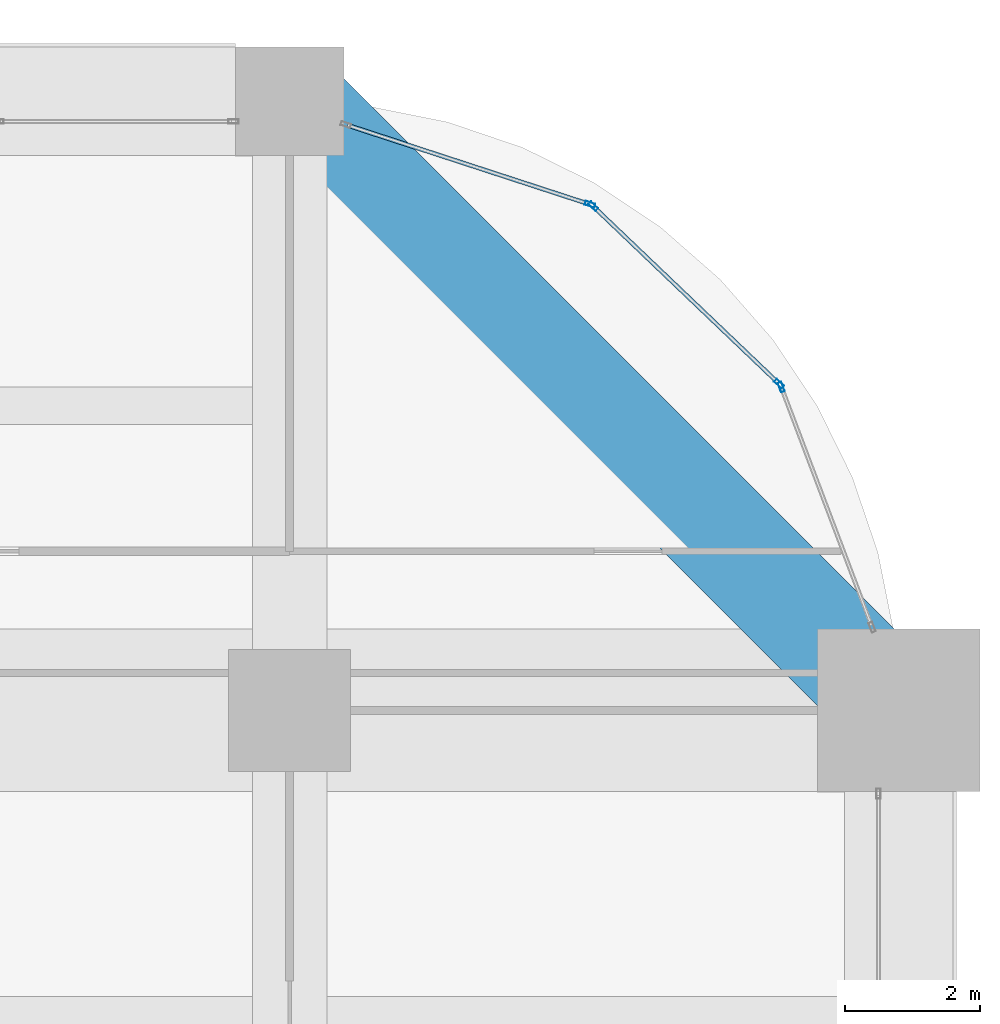
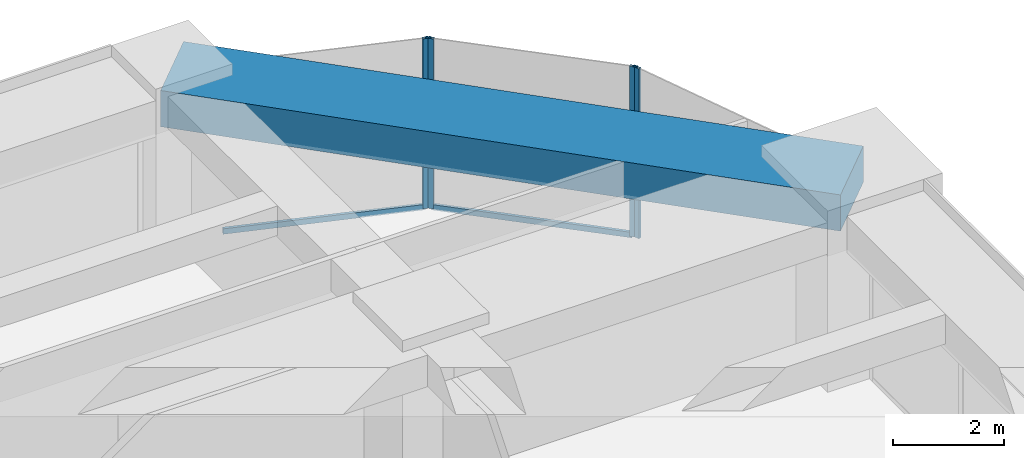
# One storey, part 36 of 43: 6 members, 1 beam, 3 elements without a shape of their own.
"""IFC4 building model written with IfcOpenShell, lengths in metres."""

from ifc_helpers import new_model, si_unit, direction, frame, origin, origin_2d, place, context, subcontext, project, spatial, rectangle, hollow_rectangle, extrude, material, material_profile, profile_set, type_object, element, aggregate, save


model = new_model("IFC4")

# Units and contexts
model_context = context("Model", 3, precision=1e-05, world=origin(), true_north=direction((0.0, 1.0)))
body_context = subcontext(model_context, "Body", "Model", "MODEL_VIEW")
ifc_project = project(units=[si_unit("LENGTHUNIT", "METRE"), si_unit("AREAUNIT", "SQUARE_METRE"), si_unit("VOLUMEUNIT", "CUBIC_METRE"), si_unit("PLANEANGLEUNIT", "RADIAN"), si_unit("MASSUNIT", "GRAM", prefix="KILO")], contexts=[model_context])

# Site, building, storey
site_placement = place(None, origin())
site = spatial("IfcSite", under=ifc_project, at=site_placement, CompositionType="ELEMENT")
building_placement = place(site_placement, origin())
building = spatial("IfcBuilding", under=site, at=building_placement, Name="Zorevar Civic Tower", CompositionType="ELEMENT")
storey_placement = place(building_placement, frame((0.0, 0.0, 145.0)))
storey = spatial("IfcBuildingStorey", under=building, at=storey_placement, Name="L35", CompositionType="ELEMENT", Elevation=145.0)

# Curtain wall, member
ifc_material_1 = material(Name="Dark grey solar-control glass in black aluminium frame", Category="aluminium")
curtain_wall_type = type_object("IfcCurtainWallType", Name="Curtain wall CW3 mid zone", PredefinedType="NOTDEFINED", material=ifc_material_1)
curtain_wall_1_placement = place(storey_placement, origin())
curtain_wall_1 = element("IfcCurtainWall", 1, at=curtain_wall_1_placement, inside=storey, type_object=curtain_wall_type, Name="CW3 L35", PredefinedType="NOTDEFINED")
ifc_material_2 = material(Name="Aluminium, black anodised", Category="aluminium")
ifc_material_profile_1 = material_profile(ifc_material_2, hollow_rectangle(XDim=0.06005859375, YDim=0.14990234375, WallThickness=0.00390625, at=origin_2d()), Name="AL 150x60x4")
ifc_profile_set_1 = profile_set([ifc_material_profile_1], Name="Aluminium, black anodised")
member_type_1 = type_object("IfcMemberType", Name="CW3 mullion AL 150x60x4", PredefinedType="MULLION", material=ifc_profile_set_1)
member_1_placement = place(storey_placement, frame((61.26318359375, 40.777099609375, 0.0), z_axis=(0.0, 0.0, 1.0), x_axis=(-0.935276561184, -0.353917722218, 0.0)))
member_1 = element("IfcMember", 2, at=member_1_placement, type_object=member_type_1, Name="CW3 mullion 2", PredefinedType="MULLION", context=body_context, shape_type="SweptSolid", body=[
    extrude(hollow_rectangle(XDim=0.06005859375, YDim=0.14990234375, WallThickness=0.00390625, at=origin_2d()), origin(), (0.0, 0.0, 1.0), 3.75),
])
aggregate(curtain_wall_1, [member_1])

# Curtain wall, members
curtain_wall_2_placement = place(storey_placement, origin())
curtain_wall_2 = element("IfcCurtainWall", 3, at=curtain_wall_2_placement, inside=storey, type_object=curtain_wall_type, Name="CW3 L35", PredefinedType="NOTDEFINED")
member_2_placement = place(storey_placement, frame((61.23095703125, 40.825927734375, 0.0), z_axis=(0.0, 0.0, 1.0), x_axis=(-0.690545329292, -0.723289117983, 0.0)))
member_2 = element("IfcMember", 4, at=member_2_placement, type_object=member_type_1, Name="CW3 mullion 1", PredefinedType="MULLION", context=body_context, shape_type="SweptSolid", body=[
    extrude(hollow_rectangle(XDim=0.06005859375, YDim=0.14990234375, WallThickness=0.00390625, at=origin_2d()), origin(), (0.0, 0.0, 1.0), 3.75),
])
member_3_placement = place(storey_placement, frame((58.486083984375, 43.4462890625, 0.0), z_axis=(0.0, 0.0, 1.0), x_axis=(-0.690545329292, -0.723289117983, 0.0)))
member_3 = element("IfcMember", 5, at=member_3_placement, type_object=member_type_1, Name="CW3 mullion 2", PredefinedType="MULLION", context=body_context, shape_type="SweptSolid", body=[
    extrude(hollow_rectangle(XDim=0.06005859375, YDim=0.14990234375, WallThickness=0.00390625, at=origin_2d()), origin(), (0.0, 0.0, 1.0), 3.75),
])

# Curtain wall, member
curtain_wall_3_placement = place(storey_placement, origin())
curtain_wall_3 = element("IfcCurtainWall", 6, at=curtain_wall_3_placement, inside=storey, type_object=curtain_wall_type, Name="CW3 L35", PredefinedType="NOTDEFINED")
member_4_placement = place(storey_placement, frame((58.43603515625, 43.476318359375, 0.0), z_axis=(0.0, 0.0, 1.0), x_axis=(-0.310263169163, -0.950650706548, 0.0)))
member_4 = element("IfcMember", 7, at=member_4_placement, type_object=member_type_1, Name="CW3 mullion 1", PredefinedType="MULLION", context=body_context, shape_type="SweptSolid", body=[
    extrude(hollow_rectangle(XDim=0.06005859375, YDim=0.14990234375, WallThickness=0.00390625, at=origin_2d()), origin(), (0.0, 0.0, 1.0), 3.75),
])

# Member
ifc_material_3 = material(Name="Aluminium, black anodised", Category="aluminium")
ifc_material_profile_2 = material_profile(ifc_material_3, hollow_rectangle(XDim=0.06005859375, YDim=0.1201171875, WallThickness=0.0029296875, at=origin_2d()), Name="AL 120x60x3")
ifc_profile_set_2 = profile_set([ifc_material_profile_2], Name="Aluminium, black anodised")
member_type_2 = type_object("IfcMemberType", Name="CW3 transom AL 120x60x3", PredefinedType="USERDEFINED", material=ifc_profile_set_2)
member_5_placement = place(storey_placement, frame((61.209228515625, 40.8466796875, 0.030029296875), z_axis=(-0.723324377588, 0.690508395884, 0.0), x_axis=(-0.690508395884, -0.723324377588, 0.0)))
member_5 = element("IfcMember", 8, at=member_5_placement, type_object=member_type_2, Name="CW3 sill transom", ObjectType="TRANSOM", PredefinedType="USERDEFINED", context=body_context, shape_type="SweptSolid", body=[
    extrude(hollow_rectangle(XDim=0.06005859375, YDim=0.1201171875, WallThickness=0.0029296875, at=origin_2d()), origin(), (0.0, 0.0, 1.0), 3.734619140625),
])

aggregate(curtain_wall_2, [member_2, member_3, member_5])

member_6_placement = place(storey_placement, frame((58.407470703125, 43.485595703125, 0.030029296875), z_axis=(-0.950638909659, 0.310299312669, 0.0), x_axis=(-0.310299312669, -0.950638909659, 0.0)))
member_6 = element("IfcMember", 9, at=member_6_placement, type_object=member_type_2, Name="CW3 sill transom", ObjectType="TRANSOM", PredefinedType="USERDEFINED", context=body_context, shape_type="SweptSolid", body=[
    extrude(hollow_rectangle(XDim=0.06005859375, YDim=0.1201171875, WallThickness=0.0029296875, at=origin_2d()), origin(), (0.0, 0.0, 1.0), 3.73486328125),
])

aggregate(curtain_wall_3, [member_4, member_6])

# Beam
ifc_material_4 = material(Name="Concrete C50/60", Category="concrete")
ifc_material_profile_3 = material_profile(ifc_material_4, rectangle(XDim=1.60009765625, YDim=0.800048828125, at=origin_2d()), Name="RC 1600x800")
ifc_profile_set_3 = profile_set([ifc_material_profile_3], Name="Concrete C50/60")
beam_type = type_object("IfcBeamType", Name="Edge beam RC 1600x800", PredefinedType="SPANDREL", material=ifc_profile_set_3)
beam_placement = place(storey_placement, frame((63.0, 36.0, 3.35009765625), z_axis=(-0.707106781187, 0.707106781187, 0.0), x_axis=(-0.707106781187, -0.707106781187, 0.0)))
element("IfcBeam", 10, at=beam_placement, inside=storey, type_object=beam_type, Name="Corner edge beam L36", PredefinedType="SPANDREL", context=body_context, shape_type="SweptSolid", body=[
    extrude(rectangle(XDim=1.60009765625, YDim=0.800048828125, at=origin_2d()), origin(), (0.0, 0.0, 1.0), 12.72802734375),
])

save(model, "model.ifc")
